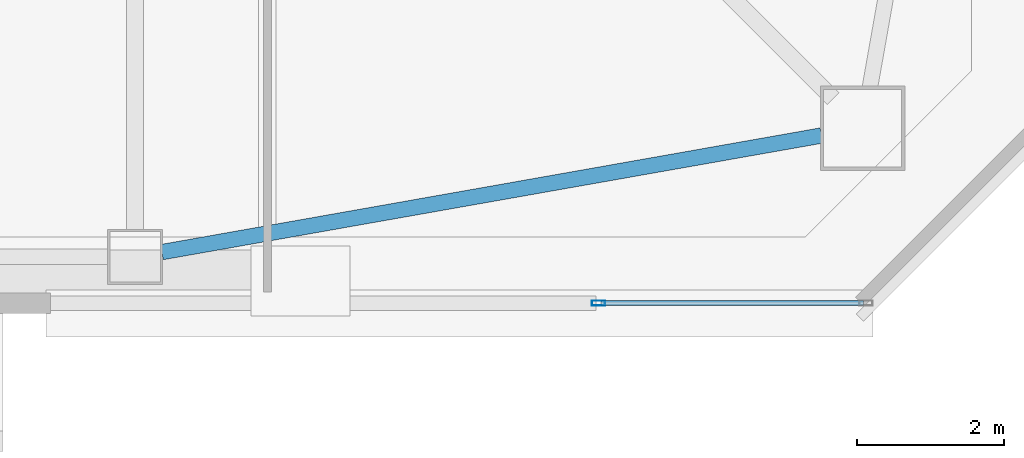
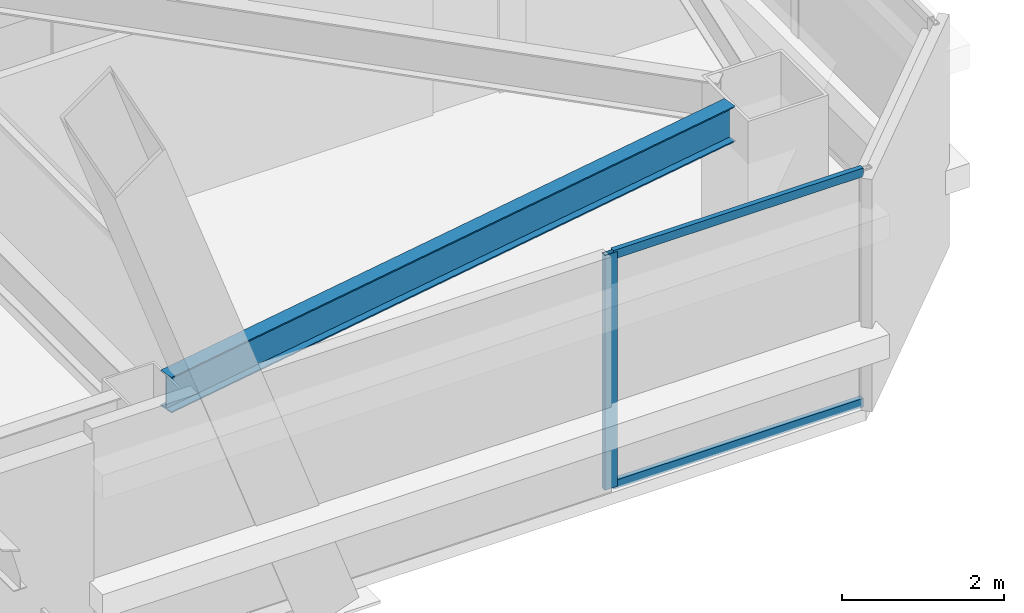
# One storey, part 7 of 55: 3 members, 1 beam, 1 element without a shape of its own.
"""IFC4 building model written with IfcOpenShell, lengths in metres."""

from ifc_helpers import new_model, si_unit, direction, frame, origin, origin_2d, place, context, subcontext, project, spatial, hollow_rectangle, i_section, extrude, material, material_profile, profile_set, type_object, element, aggregate, save


model = new_model("IFC4")

# Units and contexts
model_context = context("Model", 3, precision=1e-05, world=origin(), true_north=direction((0.0, 1.0)))
body_context = subcontext(model_context, "Body", "Model", "MODEL_VIEW")
ifc_project = project(units=[si_unit("LENGTHUNIT", "METRE"), si_unit("AREAUNIT", "SQUARE_METRE"), si_unit("VOLUMEUNIT", "CUBIC_METRE"), si_unit("PLANEANGLEUNIT", "RADIAN"), si_unit("MASSUNIT", "GRAM", prefix="KILO")], contexts=[model_context])

# Site, building, storey
site_placement = place(None, origin())
site = spatial("IfcSite", under=ifc_project, at=site_placement, CompositionType="ELEMENT")
building_placement = place(site_placement, origin())
building = spatial("IfcBuilding", under=site, at=building_placement, Name="Tashvorn Skyway Center", CompositionType="ELEMENT")
storey_placement = place(building_placement, frame((0.0, 0.0, 178.300048828125)))
storey = spatial("IfcBuildingStorey", under=building, at=storey_placement, Name="L48", CompositionType="ELEMENT", Elevation=178.300048828125)

# Beam
ifc_material_1 = material(Name="Steel ASTM A992 Grade 50", Category="steel")
ifc_material_profile_1 = material_profile(ifc_material_1, i_section(OverallWidth=0.2109375, OverallDepth=0.5390625, WebThickness=0.01171875, FlangeThickness=0.018798828125, at=origin_2d()), Name="W21X73")
ifc_profile_set_1 = profile_set([ifc_material_profile_1], Name="Steel ASTM A992 Grade 50")
beam_type = type_object("IfcBeamType", Name="BM-SPANDREL-W21X73", PredefinedType="SPANDREL", material=ifc_profile_set_1)
beam_placement = place(storey_placement, frame((47.764404296875, 15.014404296875, 3.100341796875), z_axis=(0.984732545667, 0.174074160933, 0.0), x_axis=(-0.174074160933, 0.984732545667, 0.0)))
element("IfcBeam", 1, at=beam_placement, inside=storey, type_object=beam_type, Name="Tower 1 L48 Spandrel Beam 03", PredefinedType="SPANDREL", context=body_context, shape_type="SweptSolid", body=[
    extrude(i_section(OverallWidth=0.2109375, OverallDepth=0.5390625, WebThickness=0.01171875, FlangeThickness=0.018798828125, at=origin_2d()), origin(), (0.0, 0.0, 1.0), 9.113525390625),
])

# Curtain wall, members
ifc_material_2 = material(Name="Thermally broken bronze-anodized aluminium 6063-T6", Category="aluminium")
curtain_wall_type = type_object("IfcCurtainWallType", Name="CW-CW-Z4", PredefinedType="NOTDEFINED", material=ifc_material_2)
curtain_wall_placement = place(storey_placement, origin())
curtain_wall = element("IfcCurtainWall", 2, at=curtain_wall_placement, inside=storey, type_object=curtain_wall_type, Name="Tower 1 L48 South Curtain Wall L Glazing Group 1", PredefinedType="NOTDEFINED")
ifc_material_profile_2 = material_profile(ifc_material_2, hollow_rectangle(XDim=0.070068359375, YDim=0.179931640625, WallThickness=0.00390625, at=origin_2d()), Name="ALU-MULL-70x180")
ifc_profile_set_2 = profile_set([ifc_material_profile_2], Name="Thermally broken bronze-anodized aluminium 6063-T6")
member_type_1 = type_object("IfcMemberType", Name="CWM-CW-Z4", PredefinedType="MULLION", material=ifc_profile_set_2)
member_1_placement = place(storey_placement, frame((53.705078125, 14.320068359375, 0.0), z_axis=(0.0, 0.0, 1.0), x_axis=(0.0, -1.0, 0.0)))
member_1 = element("IfcMember", 3, at=member_1_placement, type_object=member_type_1, Name="CW-Z4 mullion 2", PredefinedType="MULLION", context=body_context, shape_type="SweptSolid", body=[
    extrude(hollow_rectangle(XDim=0.070068359375, YDim=0.179931640625, WallThickness=0.00390625, at=origin_2d()), origin(), (0.0, 0.0, 1.0), 3.550048828125),
])
ifc_material_profile_3 = material_profile(ifc_material_2, hollow_rectangle(XDim=0.070068359375, YDim=0.1298828125, WallThickness=0.00390625, at=origin_2d()), Name="ALU-TRAN-70x130")
ifc_profile_set_3 = profile_set([ifc_material_profile_3], Name="Thermally broken bronze-anodized aluminium 6063-T6")
member_type_2 = type_object("IfcMemberType", Name="CWT-CW-Z4", PredefinedType="USERDEFINED", material=ifc_profile_set_3)
member_2_placement = place(storey_placement, frame((57.31005859375, 14.320068359375, 0.034912109375), z_axis=(-1.0, 0.0, 0.0), x_axis=(0.0, -1.0, 0.0)))
member_2 = element("IfcMember", 4, at=member_2_placement, type_object=member_type_2, Name="CW-Z4 transom 1.1", ObjectType="TRANSOM", PredefinedType="USERDEFINED", context=body_context, shape_type="SweptSolid", body=[
    extrude(hollow_rectangle(XDim=0.070068359375, YDim=0.1298828125, WallThickness=0.00390625, at=origin_2d()), origin(), (0.0, 0.0, 1.0), 3.570068359375),
])
member_3_placement = place(storey_placement, frame((57.31005859375, 14.320068359375, 3.514892578125), z_axis=(-1.0, 0.0, 0.0), x_axis=(0.0, -1.0, 0.0)))
member_3 = element("IfcMember", 5, at=member_3_placement, type_object=member_type_2, Name="CW-Z4 transom 1.2", ObjectType="TRANSOM", PredefinedType="USERDEFINED", context=body_context, shape_type="SweptSolid", body=[
    extrude(hollow_rectangle(XDim=0.070068359375, YDim=0.1298828125, WallThickness=0.00390625, at=origin_2d()), origin(), (0.0, 0.0, 1.0), 3.570068359375),
])
aggregate(curtain_wall, [member_1, member_2, member_3])

save(model, "model.ifc")
